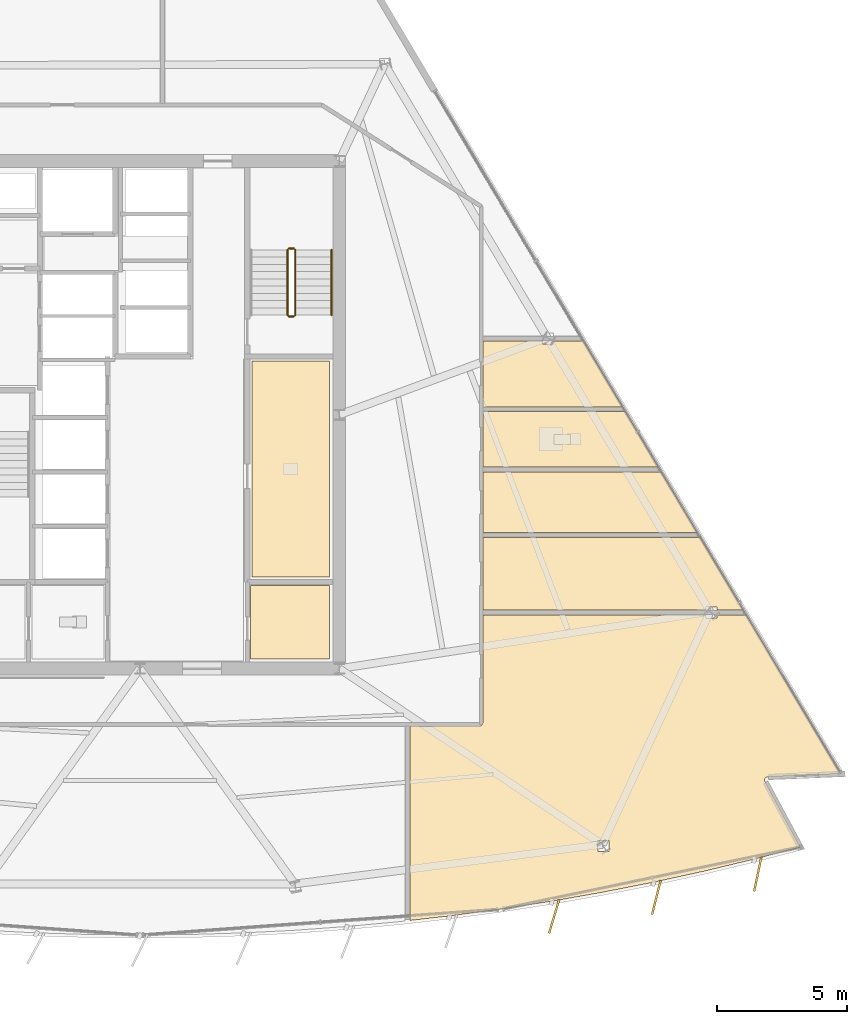
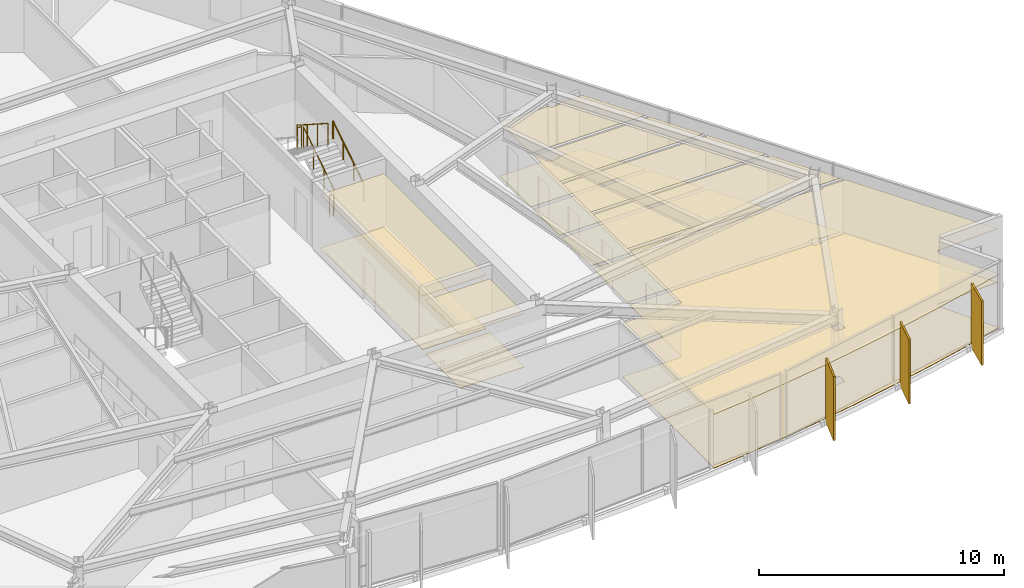
# One storey, part 14 of 16: 14 coverings, 5 railings, 3 shading devices.
"""IFC4 building model written with IfcOpenShell, lengths in metres."""

from ifc_helpers import new_model, si_unit, direction, frame, origin, origin_2d, place, context, subcontext, project, spatial, polyline, rectangle, circle, outline, extrude, material, layer, layer_set, type_object, element, save


model = new_model("IFC4")

# Units and contexts
model_context = context("Model", 3, precision=1e-05, world=origin(), true_north=direction((0.0, 1.0)))
body_context = subcontext(model_context, "Body", "Model", "MODEL_VIEW")
ifc_project = project(units=[si_unit("LENGTHUNIT", "METRE"), si_unit("AREAUNIT", "SQUARE_METRE"), si_unit("VOLUMEUNIT", "CUBIC_METRE"), si_unit("PLANEANGLEUNIT", "RADIAN"), si_unit("MASSUNIT", "GRAM", prefix="KILO")], contexts=[model_context])

# Site, building, storey
site_placement = place(None, origin())
site = spatial("IfcSite", under=ifc_project, at=site_placement, CompositionType="ELEMENT")
building_placement = place(site_placement, origin())
building = spatial("IfcBuilding", under=site, at=building_placement, Name="Savorim Split Tower", CompositionType="ELEMENT")
storey_placement = place(building_placement, frame((0.0, 0.0, 149.39990234375)))
storey = spatial("IfcBuildingStorey", under=building, at=storey_placement, Name="L39", CompositionType="ELEMENT", Elevation=149.39990234375)

# Coverings
ifc_material_1 = material(Name="Mineral Fibre Acoustic Ceiling")
ifc_layer_1 = layer(ifc_material_1, 0.02490234375)
ifc_layer_set_1 = layer_set([ifc_layer_1], Name="COV-CEIL-25")
covering_type_1 = type_object("IfcCoveringType", Name="COV-CEIL-25", PredefinedType="CEILING", material=ifc_layer_set_1)
covering_1_placement = place(storey_placement, frame((0.0, 0.0, 2.670166015625)))
element("IfcCovering", 1, at=covering_1_placement, inside=storey, type_object=covering_type_1, Name="L39 Community Laundry Room Acoustic Ceiling", PredefinedType="CEILING", context=body_context, shape_type="SweptSolid", body=[
    extrude(outline(polyline([(4.330078125, 2.469970703125), (4.330078125, -5.8701171875), (7.320068359375, -5.8701171875), (7.320068359375, 2.469970703125), (4.330078125, 2.469970703125)])), origin(), (0.0, 0.0, 1.0), 0.02490234375),
])
covering_2_placement = place(storey_placement, frame((0.0, 0.0, 2.670166015625)))
element("IfcCovering", 2, at=covering_2_placement, inside=storey, type_object=covering_type_1, Name="L39 Core IT Server Room Acoustic Ceiling", PredefinedType="CEILING", context=body_context, shape_type="SweptSolid", body=[
    extrude(outline(polyline([(4.280029296875, -6.179931640625), (4.280029296875, -9.02001953125), (7.320068359375, -9.02001953125), (7.320068359375, -6.179931640625), (4.280029296875, -6.179931640625)])), origin(), (0.0, 0.0, 1.0), 0.02490234375),
])
covering_3_placement = place(storey_placement, frame((0.0, 0.0, 2.670166015625)))
element("IfcCovering", 3, at=covering_3_placement, inside=storey, type_object=covering_type_1, Name="L39 Co-Working Commons Acoustic Ceiling", PredefinedType="CEILING", context=body_context, shape_type="SweptSolid", body=[
    extrude(outline(polyline([(24.2138671875, -13.5810546875), (24.22509765625, -13.5791015625), (24.236572265625, -13.577880859375), (27.058837890625, -13.457763671875), (23.396484375, -7.298583984375), (23.396484375, -7.331787109375), (22.27587890625, -7.331787109375), (22.27587890625, -7.4501953125), (21.851806640625, -7.4501953125), (21.851806640625, -7.331787109375), (13.239990234375, -7.331787109375), (13.239990234375, -11.47998046875), (13.2392578125, -11.49365234375), (13.2373046875, -11.50732421875), (13.23388671875, -11.5205078125), (13.229248046875, -11.53369140625), (13.223388671875, -11.5458984375), (13.21630859375, -11.557861328125), (13.208251953125, -11.56884765625), (13.198974609375, -11.5791015625), (13.188720703125, -11.588134765625), (13.177734375, -11.596435546875), (13.166015625, -11.603515625), (13.153564453125, -11.609375), (13.140625, -11.614013671875), (13.127197265625, -11.6171875), (13.11376953125, -11.619384765625), (13.10009765625, -11.6201171875), (10.427490234375, -11.6201171875), (10.427490234375, -19.118896484375), (11.945556640625, -18.947265625), (13.923828125, -18.6826171875), (15.89599609375, -18.37744140625), (17.86181640625, -18.031982421875), (19.8203125, -17.646484375), (21.770263671875, -17.220947265625), (23.711181640625, -16.755615234375), (25.495849609375, -16.288818359375), (24.135986328125, -13.75439453125), (24.131103515625, -13.744140625), (24.127197265625, -13.7333984375), (24.124267578125, -13.72216796875), (24.122314453125, -13.710693359375), (24.12158203125, -13.69921875), (24.1220703125, -13.6875), (24.123779296875, -13.67626953125), (24.126220703125, -13.664794921875), (24.1298828125, -13.654052734375), (24.134765625, -13.6435546875), (24.140380859375, -13.63330078125), (24.147216796875, -13.6240234375), (24.154541015625, -13.615234375), (24.162841796875, -13.607421875), (24.172119140625, -13.60009765625), (24.181640625, -13.593994140625), (24.19189453125, -13.588623046875), (24.20263671875, -13.584228515625), (24.2138671875, -13.5810546875)]), holes=[polyline([(18.107666015625, -16.4609375), (18.107666015625, -16.033935546875), (17.68359375, -16.033935546875), (17.68359375, -16.4609375), (18.107666015625, -16.4609375)])]), origin(), (0.0, 0.0, 1.0), 0.02490234375),
])
covering_4_placement = place(storey_placement, frame((0.0, 0.0, 2.670166015625)))
element("IfcCovering", 4, at=covering_4_placement, inside=storey, type_object=covering_type_1, Name="L39 Co-Working Commons Acoustic Ceiling", PredefinedType="CEILING", context=body_context, shape_type="SweptSolid", body=[
    extrude(outline(polyline([(22.27587890625, -7.023193359375), (22.27587890625, -7.141845703125), (23.301513671875, -7.141845703125), (23.30322265625, -7.141845703125), (21.63330078125, -4.333251953125), (13.239990234375, -4.333251953125), (13.239990234375, -7.141845703125), (21.851806640625, -7.141845703125), (21.851806640625, -7.023193359375), (22.27587890625, -7.023193359375)])), origin(), (0.0, 0.0, 1.0), 0.02490234375),
])
covering_5_placement = place(storey_placement, frame((0.0, 0.0, 2.670166015625)))
element("IfcCovering", 5, at=covering_5_placement, inside=storey, type_object=covering_type_1, Name="L39 Co-Working Commons Acoustic Ceiling", PredefinedType="CEILING", context=body_context, shape_type="SweptSolid", body=[
    extrude(outline(polyline([(21.520263671875, -4.143310546875), (20.12841796875, -1.802734375), (13.239990234375, -1.802734375), (13.239990234375, -4.143310546875), (21.520263671875, -4.143310546875)])), origin(), (0.0, 0.0, 1.0), 0.02490234375),
])
covering_6_placement = place(storey_placement, frame((0.0, 0.0, 2.670166015625)))
element("IfcCovering", 6, at=covering_6_placement, inside=storey, type_object=covering_type_1, Name="L39 Shared Bathroom Acoustic Ceiling", PredefinedType="CEILING", context=body_context, shape_type="SweptSolid", body=[
    extrude(outline(polyline([(20.015380859375, -1.61279296875), (18.746826171875, 0.520751953125), (13.239990234375, 0.52099609375), (13.239990234375, -1.61279296875), (20.015380859375, -1.61279296875)])), origin(), (0.0, 0.0, 1.0), 0.02490234375),
])
covering_7_placement = place(storey_placement, frame((0.0, 0.0, 2.670166015625)))
element("IfcCovering", 7, at=covering_7_placement, inside=storey, type_object=covering_type_1, Name="L39 Quiet Study Room Acoustic Ceiling", PredefinedType="CEILING", context=body_context, shape_type="SweptSolid", body=[
    extrude(outline(polyline([(15.5546875, 3.139892578125), (15.5546875, 3.25830078125), (13.239990234375, 3.25830078125), (13.239990234375, 0.7109375), (18.6337890625, 0.710693359375), (17.099365234375, 3.29150390625), (17.099365234375, 3.25830078125), (15.978515625, 3.25830078125), (15.978515625, 3.139892578125), (15.5546875, 3.139892578125)])), origin(), (0.0, 0.0, 1.0), 0.02490234375),
])
ifc_material_2 = material(Name="Porcelain Stoneware Flooring", Category="masonry")
ifc_layer_2 = layer(ifc_material_2, 0.02001953125)
ifc_layer_set_2 = layer_set([ifc_layer_2], Name="COV-FLOR-20")
covering_type_2 = type_object("IfcCoveringType", Name="COV-FLOR-20", PredefinedType="FLOORING", material=ifc_layer_set_2)
covering_8_placement = place(storey_placement, origin())
element("IfcCovering", 8, at=covering_8_placement, inside=storey, type_object=covering_type_2, Name="L39 Community Laundry Room Porcelain Flooring", PredefinedType="FLOORING", context=body_context, shape_type="SweptSolid", body=[
    extrude(outline(polyline([(4.330078125, 2.469970703125), (4.330078125, -5.8701171875), (7.320068359375, -5.8701171875), (7.320068359375, 2.469970703125), (4.330078125, 2.469970703125)])), origin(), (0.0, 0.0, 1.0), 0.02001953125),
])
covering_9_placement = place(storey_placement, origin())
element("IfcCovering", 9, at=covering_9_placement, inside=storey, type_object=covering_type_2, Name="L39 Core IT Server Room Porcelain Flooring", PredefinedType="FLOORING", context=body_context, shape_type="SweptSolid", body=[
    extrude(outline(polyline([(4.280029296875, -6.179931640625), (4.280029296875, -9.02001953125), (7.320068359375, -9.02001953125), (7.320068359375, -6.179931640625), (4.280029296875, -6.179931640625)])), origin(), (0.0, 0.0, 1.0), 0.02001953125),
])
covering_10_placement = place(storey_placement, origin())
element("IfcCovering", 10, at=covering_10_placement, inside=storey, type_object=covering_type_2, Name="L39 Co-Working Commons Porcelain Flooring", PredefinedType="FLOORING", context=body_context, shape_type="SweptSolid", body=[
    extrude(outline(polyline([(24.2138671875, -13.5810546875), (24.22509765625, -13.5791015625), (24.236572265625, -13.577880859375), (27.058837890625, -13.457763671875), (23.396484375, -7.298583984375), (23.396484375, -7.331787109375), (22.27587890625, -7.331787109375), (22.27587890625, -7.4501953125), (21.851806640625, -7.4501953125), (21.851806640625, -7.331787109375), (13.239990234375, -7.331787109375), (13.239990234375, -11.47998046875), (13.2392578125, -11.49365234375), (13.2373046875, -11.50732421875), (13.23388671875, -11.5205078125), (13.229248046875, -11.53369140625), (13.223388671875, -11.5458984375), (13.21630859375, -11.557861328125), (13.208251953125, -11.56884765625), (13.198974609375, -11.5791015625), (13.188720703125, -11.588134765625), (13.177734375, -11.596435546875), (13.166015625, -11.603515625), (13.153564453125, -11.609375), (13.140625, -11.614013671875), (13.127197265625, -11.6171875), (13.11376953125, -11.619384765625), (13.10009765625, -11.6201171875), (10.427490234375, -11.6201171875), (10.427490234375, -19.118896484375), (11.945556640625, -18.947265625), (13.923828125, -18.6826171875), (15.89599609375, -18.37744140625), (17.86181640625, -18.031982421875), (19.8203125, -17.646484375), (21.770263671875, -17.220947265625), (23.711181640625, -16.755615234375), (25.495849609375, -16.288818359375), (24.135986328125, -13.75439453125), (24.131103515625, -13.744140625), (24.127197265625, -13.7333984375), (24.124267578125, -13.72216796875), (24.122314453125, -13.710693359375), (24.12158203125, -13.69921875), (24.1220703125, -13.6875), (24.123779296875, -13.67626953125), (24.126220703125, -13.664794921875), (24.1298828125, -13.654052734375), (24.134765625, -13.6435546875), (24.140380859375, -13.63330078125), (24.147216796875, -13.6240234375), (24.154541015625, -13.615234375), (24.162841796875, -13.607421875), (24.172119140625, -13.60009765625), (24.181640625, -13.593994140625), (24.19189453125, -13.588623046875), (24.20263671875, -13.584228515625), (24.2138671875, -13.5810546875)]), holes=[polyline([(18.107666015625, -16.4609375), (18.107666015625, -16.033935546875), (17.68359375, -16.033935546875), (17.68359375, -16.4609375), (18.107666015625, -16.4609375)])]), origin(), (0.0, 0.0, 1.0), 0.02001953125),
])
covering_11_placement = place(storey_placement, origin())
element("IfcCovering", 11, at=covering_11_placement, inside=storey, type_object=covering_type_2, Name="L39 Co-Working Commons Porcelain Flooring", PredefinedType="FLOORING", context=body_context, shape_type="SweptSolid", body=[
    extrude(outline(polyline([(22.27587890625, -7.023193359375), (22.27587890625, -7.141845703125), (23.301513671875, -7.141845703125), (23.30322265625, -7.141845703125), (21.63330078125, -4.333251953125), (13.239990234375, -4.333251953125), (13.239990234375, -7.141845703125), (21.851806640625, -7.141845703125), (21.851806640625, -7.023193359375), (22.27587890625, -7.023193359375)])), origin(), (0.0, 0.0, 1.0), 0.02001953125),
])
covering_12_placement = place(storey_placement, origin())
element("IfcCovering", 12, at=covering_12_placement, inside=storey, type_object=covering_type_2, Name="L39 Co-Working Commons Porcelain Flooring", PredefinedType="FLOORING", context=body_context, shape_type="SweptSolid", body=[
    extrude(outline(polyline([(21.520263671875, -4.143310546875), (20.12841796875, -1.802734375), (13.239990234375, -1.802734375), (13.239990234375, -4.143310546875), (21.520263671875, -4.143310546875)])), origin(), (0.0, 0.0, 1.0), 0.02001953125),
])
covering_13_placement = place(storey_placement, origin())
element("IfcCovering", 13, at=covering_13_placement, inside=storey, type_object=covering_type_2, Name="L39 Shared Bathroom Porcelain Flooring", PredefinedType="FLOORING", context=body_context, shape_type="SweptSolid", body=[
    extrude(outline(polyline([(20.015380859375, -1.61279296875), (18.746826171875, 0.520751953125), (13.239990234375, 0.52099609375), (13.239990234375, -1.61279296875), (20.015380859375, -1.61279296875)])), origin(), (0.0, 0.0, 1.0), 0.02001953125),
])
covering_14_placement = place(storey_placement, origin())
element("IfcCovering", 14, at=covering_14_placement, inside=storey, type_object=covering_type_2, Name="L39 Quiet Study Room Porcelain Flooring", PredefinedType="FLOORING", context=body_context, shape_type="SweptSolid", body=[
    extrude(outline(polyline([(15.5546875, 3.139892578125), (15.5546875, 3.25830078125), (13.239990234375, 3.25830078125), (13.239990234375, 0.7109375), (18.6337890625, 0.710693359375), (17.099365234375, 3.29150390625), (17.099365234375, 3.25830078125), (15.978515625, 3.25830078125), (15.978515625, 3.139892578125), (15.5546875, 3.139892578125)])), origin(), (0.0, 0.0, 1.0), 0.02001953125),
])

# Railings
ifc_material_3 = material(Name="Galvanised Painted Steel Balustrade", Category="steel")
railing_type_1 = type_object("IfcRailingType", Name="RLG-HR-900", PredefinedType="HANDRAIL", material=ifc_material_3)
railing_1_placement = place(storey_placement, frame((7.39990234375, 4.25, 0.18017578125)))
element("IfcRailing", 15, at=railing_1_placement, inside=storey, type_object=railing_type_1, Name="L39 ST-2 stair handrail 1", PredefinedType="HANDRAIL", context=body_context, shape_type="SweptSolid", body=[
    extrude(circle(Radius=0.02392578125, at=origin_2d()), frame((0.0, 0.0, 0.8759765625), z_axis=(0.0, 0.841199657755, 0.540724639528), x_axis=(-1.0, 0.0, 0.0)), (0.0, 0.0, 1.0), 2.995849609375),
    extrude(circle(Radius=0.02099609375, at=origin_2d()), origin(), (0.0, 0.0, 1.0), 0.851806640625),
    extrude(circle(Radius=0.02099609375, at=origin_2d()), frame((0.0, 0.840087890625, 0.5400390625)), (0.0, 0.0, 1.0), 0.851806640625),
    extrude(circle(Radius=0.02099609375, at=origin_2d()), frame((0.0, 1.679931640625, 1.079833984375)), (0.0, 0.0, 1.0), 0.851806640625),
    extrude(circle(Radius=0.02099609375, at=origin_2d()), frame((0.0, 2.52001953125, 1.619873046875)), (0.0, 0.0, 1.0), 0.851806640625),
])
railing_type_2 = type_object("IfcRailingType", Name="RLG-STG-1100", PredefinedType="BALUSTRADE", material=ifc_material_3)
railing_2_placement = place(storey_placement, frame((6.0, 4.25, 0.18017578125)))
element("IfcRailing", 16, at=railing_2_placement, inside=storey, type_object=railing_type_2, Name="L39 ST-2 stair guard 1", PredefinedType="BALUSTRADE", context=body_context, shape_type="SweptSolid", body=[
    extrude(circle(Radius=0.02392578125, at=origin_2d()), frame((0.0, 0.0, 1.076171875), z_axis=(0.0, 0.841199657755, 0.540724639528), x_axis=(-1.0, 0.0, 0.0)), (0.0, 0.0, 1.0), 2.995849609375),
    extrude(circle(Radius=0.02099609375, at=origin_2d()), origin(), (0.0, 0.0, 1.0), 1.052001953125),
    extrude(circle(Radius=0.02099609375, at=origin_2d()), frame((0.0, 0.840087890625, 0.5400390625)), (0.0, 0.0, 1.0), 1.052001953125),
    extrude(circle(Radius=0.02099609375, at=origin_2d()), frame((0.0, 1.679931640625, 1.079833984375)), (0.0, 0.0, 1.0), 1.052001953125),
    extrude(circle(Radius=0.02099609375, at=origin_2d()), frame((0.0, 2.52001953125, 1.619873046875)), (0.0, 0.0, 1.0), 1.052001953125),
])
railing_3_placement = place(storey_placement, frame((5.949951171875, 6.820068359375, 1.800048828125)))
element("IfcRailing", 17, at=railing_3_placement, inside=storey, type_object=railing_type_2, Name="L39 ST-2 stair guard 2", PredefinedType="BALUSTRADE", context=body_context, shape_type="SweptSolid", body=[
    extrude(circle(Radius=0.02392578125, at=origin_2d()), frame((0.0, 0.0, 1.076171875), z_axis=(-1.0, 0.0, 0.0), x_axis=(0.0, -1.0, 0.0)), (0.0, 0.0, 1.0), 0.199951171875),
    extrude(circle(Radius=0.02099609375, at=origin_2d()), origin(), (0.0, 0.0, 1.0), 1.052001953125),
    extrude(circle(Radius=0.02099609375, at=origin_2d()), frame((-0.199951171875, 0.0, 0.0)), (0.0, 0.0, 1.0), 1.052001953125),
])
railing_4_placement = place(storey_placement, frame((5.699951171875, 6.77001953125, 1.97998046875)))
element("IfcRailing", 18, at=railing_4_placement, inside=storey, type_object=railing_type_2, Name="L39 ST-2 stair guard 3", PredefinedType="BALUSTRADE", context=body_context, shape_type="SweptSolid", body=[
    extrude(circle(Radius=0.02392578125, at=origin_2d()), frame((0.0, 0.0, 1.076171875), z_axis=(0.0, -0.841162588446, 0.540782303519), x_axis=(1.0, 0.0, 0.0)), (0.0, 0.0, 1.0), 2.995849609375),
    extrude(circle(Radius=0.02099609375, at=origin_2d()), origin(), (0.0, 0.0, 1.0), 1.052001953125),
    extrude(circle(Radius=0.02099609375, at=origin_2d()), frame((0.0, -0.840087890625, 0.5400390625)), (0.0, 0.0, 1.0), 1.052001953125),
    extrude(circle(Radius=0.02099609375, at=origin_2d()), frame((0.0, -1.679931640625, 1.080078125)), (0.0, 0.0, 1.0), 1.052001953125),
    extrude(circle(Radius=0.02099609375, at=origin_2d()), frame((0.0, -2.52001953125, 1.6201171875)), (0.0, 0.0, 1.0), 1.052001953125),
])
railing_5_placement = place(storey_placement, frame((5.949951171875, 4.199951171875, 0.0)))
element("IfcRailing", 19, at=railing_5_placement, inside=storey, type_object=railing_type_2, Name="L39 ST-2 stair guard 4", PredefinedType="BALUSTRADE", context=body_context, shape_type="SweptSolid", body=[
    extrude(circle(Radius=0.02392578125, at=origin_2d()), frame((0.0, 0.0, 1.076171875), z_axis=(-1.0, 0.0, 0.0), x_axis=(0.0, -1.0, 0.0)), (0.0, 0.0, 1.0), 0.199951171875),
    extrude(circle(Radius=0.02099609375, at=origin_2d()), origin(), (0.0, 0.0, 1.0), 1.052001953125),
    extrude(circle(Radius=0.02099609375, at=origin_2d()), frame((-0.199951171875, 0.0, 0.0)), (0.0, 0.0, 1.0), 1.052001953125),
])

# Shading devices
ifc_material_4 = material(Name="Terracotta Ceramic-Coated Aluminium Fin", Category="masonry")
shading_device_type = type_object("IfcShadingDeviceType", Name="SHD-FIN-1360", PredefinedType="USERDEFINED", material=ifc_material_4)
for number, where, z_axis, x_axis, name in (
    (20, (15.993408203125, -18.965576171875, -0.19970703125), (0.0, 0.0, 1.0), (-0.286026212504, -0.958221793616, 0.0), "L39 Sawtooth Shading Fin 11"),
    (21, (19.94140625, -18.22998046875, -0.19970703125), (0.0, 0.0, 1.0), (-0.246581250663, -0.969122121727, 0.0), "L39 Sawtooth Shading Fin 12"),
    (22, (23.85595703125, -17.333740234375, -0.19970703125), (0.0, 0.0, 1.0), (-0.206721626106, -0.978399800337, 0.0), "L39 Sawtooth Shading Fin 13"),
):
    element("IfcShadingDevice", number, at=place(storey_placement, frame(where, z_axis=z_axis, x_axis=x_axis)), inside=storey, type_object=shading_device_type, Name=name, ObjectType="FIN", PredefinedType="USERDEFINED", context=body_context, shape_type="SweptSolid", body=[
        extrude(rectangle(XDim=1.360107421875, YDim=0.080078125, at=origin_2d()), origin(), (0.0, 0.0, 1.0), 3.199951171875),
    ])

save(model, "model.ifc")
